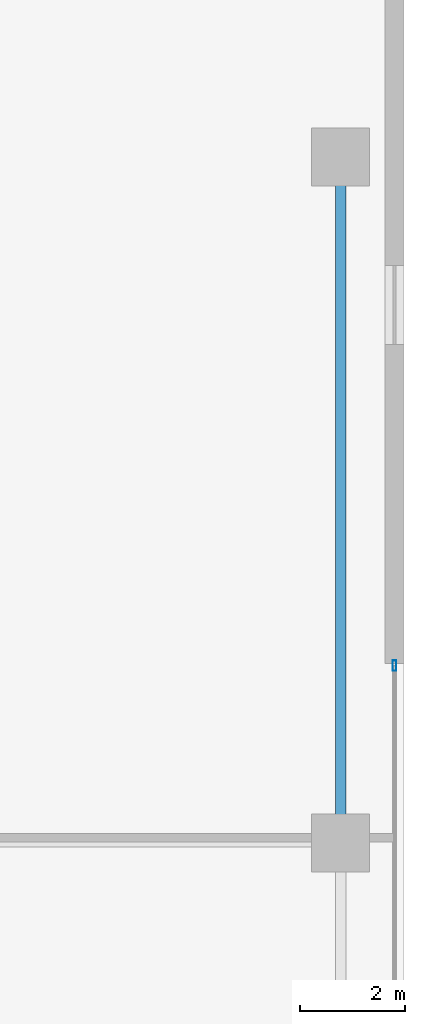
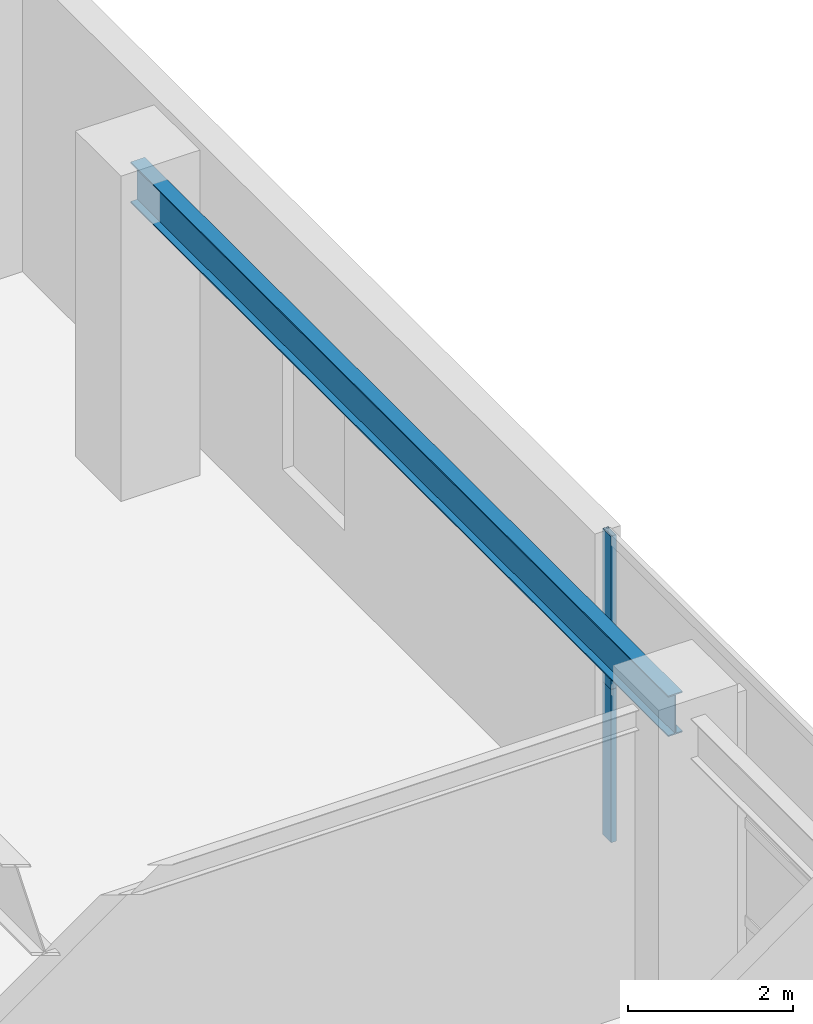
# One storey, part 31 of 38: 2 members, 1 beam, 1 element without a shape of its own.
"""IFC4 building model written with IfcOpenShell, lengths in metres."""

from ifc_helpers import new_model, si_unit, direction, frame, origin, origin_2d, place, context, subcontext, project, spatial, hollow_rectangle, i_section, extrude, source, transform, mapped, material, layer, layer_set, material_profile, profile_set, type_object, element, aggregate, save


model = new_model("IFC4")

# Units and contexts
model_context = context("Model", 3, precision=1e-05, world=origin(), true_north=direction((0.0, 1.0)))
body_context = subcontext(model_context, "Body", "Model", "MODEL_VIEW")
ifc_project = project(units=[si_unit("LENGTHUNIT", "METRE"), si_unit("AREAUNIT", "SQUARE_METRE"), si_unit("VOLUMEUNIT", "CUBIC_METRE"), si_unit("PLANEANGLEUNIT", "RADIAN"), si_unit("MASSUNIT", "GRAM", prefix="KILO"), si_unit("THERMODYNAMICTEMPERATUREUNIT", "KELVIN"), si_unit("POWERUNIT", "WATT")], contexts=[model_context])

# Site, building, storey
site_placement = place(None, origin())
site = spatial("IfcSite", under=ifc_project, at=site_placement, CompositionType="ELEMENT")
building_placement = place(site_placement, origin())
building = spatial("IfcBuilding", under=site, at=building_placement, Name="Yuzanri Waterfront Tower", CompositionType="ELEMENT")
storey_placement = place(building_placement, frame((0.0, 0.0, 10.199951171875)))
storey = spatial("IfcBuildingStorey", under=building, at=storey_placement, Name="L03", CompositionType="ELEMENT", Elevation=10.199951171875)

# Beam
ifc_material_1 = material(Name="Steel Q355B", Category="steel")
ifc_material_profile_1 = material_profile(ifc_material_1, i_section(OverallWidth=0.199951171875, OverallDepth=0.60009765625, WebThickness=0.010986328125, FlangeThickness=0.01708984375, at=origin_2d()), Name="HN 600x200x11x17")
ifc_profile_set_1 = profile_set([ifc_material_profile_1], Name="Steel Q355B")
beam_type = type_object("IfcBeamType", Name="Perimeter Spandrel Q355B HN 600x200", PredefinedType="SPANDREL", material=ifc_profile_set_1)
shared_shape_1 = source(origin(), body_context, "Body", "SweptSolid", [
    extrude(i_section(OverallWidth=0.199951171875, OverallDepth=0.60009765625, WebThickness=0.010986328125, FlangeThickness=0.01708984375, at=origin_2d()), origin(), (0.0, 0.0, 1.0), 13.0),
])
beam_placement = place(storey_placement, frame((70.800048828125, 32.199951171875, 4.219970703125), z_axis=(0.0, 1.0, 0.0), x_axis=(-1.0, 0.0, 0.0)))
element("IfcBeam", 1, at=beam_placement, inside=storey, type_object=beam_type, Name="L03 East Podium Spandrel 3", PredefinedType="SPANDREL", context=body_context, shape_type="MappedRepresentation", body=[
    mapped(shared_shape_1, transform((0.0, 0.0, 0.0), scale=1.0)),
])

# Curtain wall, members
ifc_material_2 = material(Name="Anodized Architectural Bronze", Category="metal")
ifc_layer = layer(ifc_material_2, 0.159912109375)
ifc_layer_set = layer_set([ifc_layer], Name="Anodized Architectural Bronze")
curtain_wall_type = type_object("IfcCurtainWallType", Name="Anodized Bronze Podium Waterfront Double-Height Unitized Curtain Wall 8400", PredefinedType="NOTDEFINED", material=ifc_layer_set)
curtain_wall_placement = place(storey_placement, origin())
curtain_wall = element("IfcCurtainWall", 2, at=curtain_wall_placement, inside=storey, type_object=curtain_wall_type, Name="L03 Curtain Wall CW-L03-E", PredefinedType="NOTDEFINED")
ifc_material_3 = material(Name="Anodized Architectural Bronze", Category="metal")
ifc_material_profile_2 = material_profile(ifc_material_3, hollow_rectangle(XDim=0.074951171875, YDim=0.199951171875, WallThickness=0.00390625, at=origin_2d()), Name="CWM 75x200")
ifc_profile_set_2 = profile_set([ifc_material_profile_2], Name="Anodized Architectural Bronze")
member_type = type_object("IfcMemberType", Name="Anodized Bronze Primary Curtain-Wall Mullion 75x200", PredefinedType="MULLION", material=ifc_profile_set_2)
shared_shape_2 = source(origin(), body_context, "Body", "SweptSolid", [
    extrude(hollow_rectangle(XDim=0.074951171875, YDim=0.199951171875, WallThickness=0.00390625, at=origin_2d()), origin(), (0.0, 0.0, 1.0), 2.258056640625),
])
member_1_placement = place(storey_placement, frame((71.820068359375, 35.56005859375, 0.0), z_axis=(0.0, 0.0, 1.0), x_axis=(1.0, 0.0, 0.0)))
member_1 = element("IfcMember", 3, at=member_1_placement, type_object=member_type, Name="CW-L03-E Lower Mullion 02", PredefinedType="MULLION", context=body_context, shape_type="MappedRepresentation", body=[
    mapped(shared_shape_2, transform((0.0, 0.0, 0.0), scale=1.0)),
])
member_2_placement = place(storey_placement, frame((71.820068359375, 35.56005859375, 2.261962890625), z_axis=(0.0, 0.0, 1.0), x_axis=(1.0, 0.0, 0.0)))
member_2 = element("IfcMember", 4, at=member_2_placement, type_object=member_type, Name="CW-L03-E Upper Mullion 02", PredefinedType="MULLION", context=body_context, shape_type="MappedRepresentation", body=[
    mapped(shared_shape_2, transform((0.0, 0.0, 0.0), scale=1.0)),
])
aggregate(curtain_wall, [member_1, member_2])

save(model, "model.ifc")
